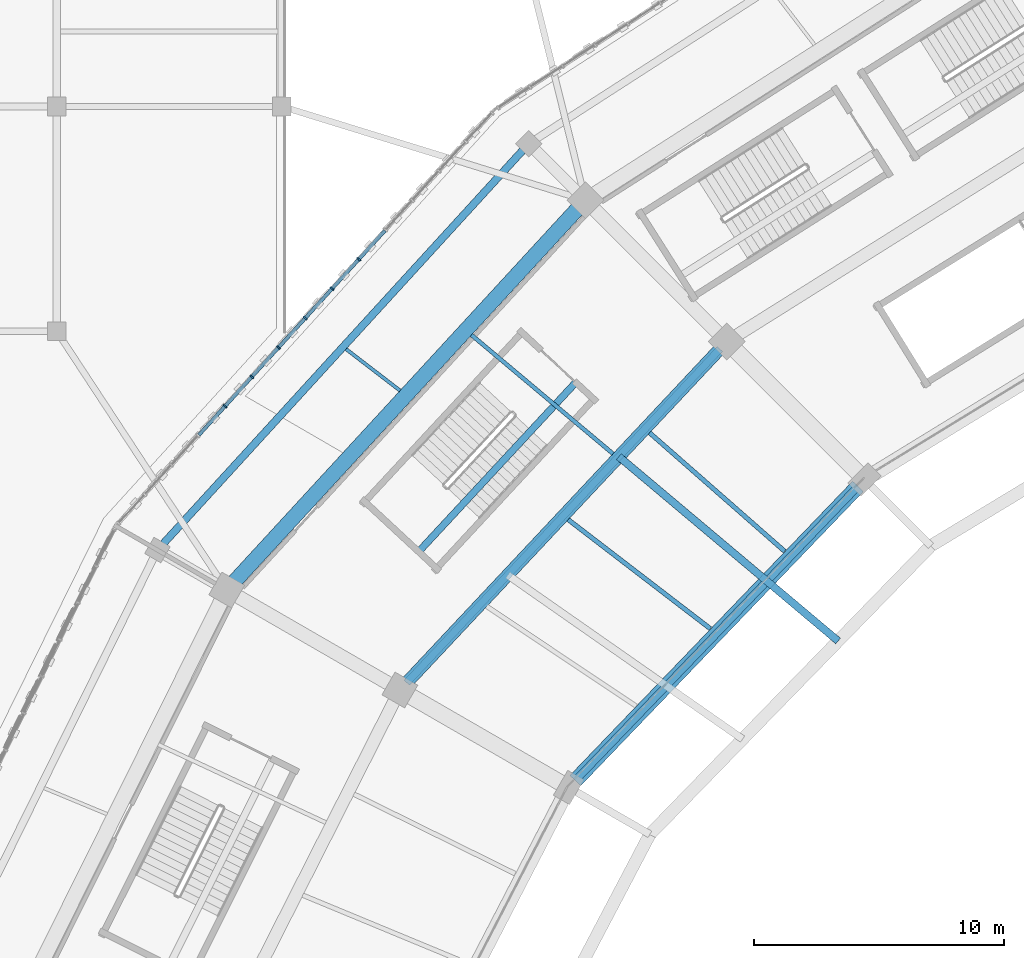
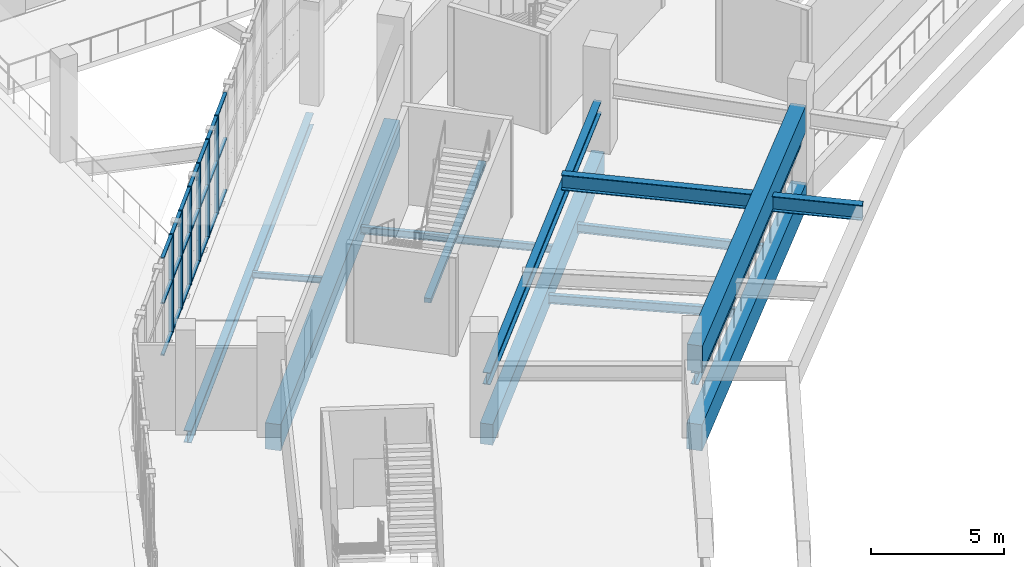
# One storey, part 49 of 179: 27 members, 13 beams, 1 element without a shape of its own.
"""IFC4 building model written with IfcOpenShell, lengths in metres."""

from ifc_helpers import new_model, si_unit, direction, frame, origin, origin_2d, place, context, subcontext, project, spatial, rectangle, i_section, extrude, material, material_profile, profile_set, type_object, element, aggregate, save


model = new_model("IFC4")

# Units and contexts
model_context = context("Model", 3, precision=1e-05, world=origin(), true_north=direction((0.0, 1.0)))
body_context = subcontext(model_context, "Body", "Model", "MODEL_VIEW")
ifc_project = project(units=[si_unit("LENGTHUNIT", "METRE"), si_unit("AREAUNIT", "SQUARE_METRE"), si_unit("VOLUMEUNIT", "CUBIC_METRE"), si_unit("PLANEANGLEUNIT", "RADIAN"), si_unit("MASSUNIT", "GRAM", prefix="KILO")], contexts=[model_context])

# Site, building, storey
site_placement = place(None, origin())
site = spatial("IfcSite", under=ifc_project, at=site_placement, CompositionType="ELEMENT")
building_placement = place(site_placement, origin())
building = spatial("IfcBuilding", under=site, at=building_placement, Name="Zevraka Park Crest Stadium", CompositionType="ELEMENT")
storey_placement = place(building_placement, frame((0.0, 0.0, 10.199951171875)))
storey = spatial("IfcBuildingStorey", under=building, at=storey_placement, Name="L02", CompositionType="ELEMENT", Elevation=10.199951171875)

# Beam
ifc_material_1 = material(Name="Steel S355", Category="steel")
ifc_material_profile_1 = material_profile(ifc_material_1, i_section(OverallWidth=0.300048828125, OverallDepth=0.699951171875, WebThickness=0.01708984375, FlangeThickness=0.031982421875, at=origin_2d()), Name="HEB 700")
ifc_profile_set_1 = profile_set([ifc_material_profile_1], Name="Steel S355")
beam_type_1 = type_object("IfcBeamType", Name="BG06", PredefinedType="BEAM", material=ifc_profile_set_1)
beam_1_placement = place(storey_placement, frame((49.489013671875, 134.988037109375, 2.670166015625), z_axis=(0.7653749621, -0.643584623332, 0.0), x_axis=(0.643584623332, 0.7653749621, 0.0)))
element("IfcBeam", 1, at=beam_1_placement, inside=storey, type_object=beam_type_1, Name="Upper Tier Vomitory Cantilever Girder BG06 09-V1", PredefinedType="BEAM", context=body_context, shape_type="SweptSolid", body=[
    extrude(i_section(OverallWidth=0.300048828125, OverallDepth=0.699951171875, WebThickness=0.01708984375, FlangeThickness=0.031982421875, at=origin_2d()), origin(), (0.0, 0.0, 1.0), 11.46240234375),
])

# Curtain wall, members
ifc_material_2 = material(Name="Anodised architectural aluminium and laminated safety glass", Category="aluminium")
curtain_wall_type = type_object("IfcCurtainWallType", Name="CW08", PredefinedType="NOTDEFINED", material=ifc_material_2)
curtain_wall_placement = place(storey_placement, origin())
curtain_wall = element("IfcCurtainWall", 2, at=curtain_wall_placement, inside=storey, type_object=curtain_wall_type, Name="Unitised Ring Curtain Wall CW08 L02-09", PredefinedType="NOTDEFINED")
ifc_material_3 = material(Name="Anodised architectural aluminium", Category="aluminium")
ifc_material_profile_2 = material_profile(ifc_material_3, rectangle(XDim=0.179931640625, YDim=0.06494140625, at=origin_2d()), Name="ALU MULLION 180x65")
ifc_profile_set_2 = profile_set([ifc_material_profile_2], Name="Anodised architectural aluminium")
member_type_1 = type_object("IfcMemberType", Name="CM02", PredefinedType="MULLION", material=ifc_profile_set_2)
member_1_placement = place(storey_placement, frame((39.083251953125, 142.884521484375, 0.0), z_axis=(0.0, 0.0, 1.0), x_axis=(0.739496877097, -0.673159987494, 0.0)))
member_1 = element("IfcMember", 3, at=member_1_placement, type_object=member_type_1, Name="CW08 mullion 6", PredefinedType="MULLION", context=body_context, shape_type="SweptSolid", body=[
    extrude(rectangle(XDim=0.179931640625, YDim=0.06494140625, at=origin_2d()), origin(), (0.0, 0.0, 1.0), 4.5),
])
member_2_placement = place(storey_placement, frame((38.012451171875, 141.70849609375, 0.0), z_axis=(0.0, 0.0, 1.0), x_axis=(0.739496877097, -0.673159987494, 0.0)))
member_2 = element("IfcMember", 4, at=member_2_placement, type_object=member_type_1, Name="CW08 mullion 7", PredefinedType="MULLION", context=body_context, shape_type="SweptSolid", body=[
    extrude(rectangle(XDim=0.179931640625, YDim=0.06494140625, at=origin_2d()), origin(), (0.0, 0.0, 1.0), 4.5),
])
member_3_placement = place(storey_placement, frame((36.94189453125, 140.532470703125, 0.0), z_axis=(0.0, 0.0, 1.0), x_axis=(0.739496877097, -0.673159987494, 0.0)))
member_3 = element("IfcMember", 5, at=member_3_placement, type_object=member_type_1, Name="CW08 mullion 8", PredefinedType="MULLION", context=body_context, shape_type="SweptSolid", body=[
    extrude(rectangle(XDim=0.179931640625, YDim=0.06494140625, at=origin_2d()), origin(), (0.0, 0.0, 1.0), 4.5),
])
member_4_placement = place(storey_placement, frame((35.871337890625, 139.3564453125, 0.0), z_axis=(0.0, 0.0, 1.0), x_axis=(0.739496877097, -0.673159987494, 0.0)))
member_4 = element("IfcMember", 6, at=member_4_placement, type_object=member_type_1, Name="CW08 mullion 9", PredefinedType="MULLION", context=body_context, shape_type="SweptSolid", body=[
    extrude(rectangle(XDim=0.179931640625, YDim=0.06494140625, at=origin_2d()), origin(), (0.0, 0.0, 1.0), 4.5),
])
member_5_placement = place(storey_placement, frame((34.80078125, 138.180419921875, 0.0), z_axis=(0.0, 0.0, 1.0), x_axis=(0.739496877097, -0.673159987494, 0.0)))
member_5 = element("IfcMember", 7, at=member_5_placement, type_object=member_type_1, Name="CW08 mullion 10", PredefinedType="MULLION", context=body_context, shape_type="SweptSolid", body=[
    extrude(rectangle(XDim=0.179931640625, YDim=0.06494140625, at=origin_2d()), origin(), (0.0, 0.0, 1.0), 4.5),
])
member_6_placement = place(storey_placement, frame((33.730224609375, 137.00439453125, 0.0), z_axis=(0.0, 0.0, 1.0), x_axis=(0.739496877097, -0.673159987494, 0.0)))
member_6 = element("IfcMember", 8, at=member_6_placement, type_object=member_type_1, Name="CW08 mullion 11", PredefinedType="MULLION", context=body_context, shape_type="SweptSolid", body=[
    extrude(rectangle(XDim=0.179931640625, YDim=0.06494140625, at=origin_2d()), origin(), (0.0, 0.0, 1.0), 4.5),
])
ifc_material_4 = material(Name="Anodised architectural aluminium", Category="aluminium")
ifc_material_profile_3 = material_profile(ifc_material_4, rectangle(XDim=0.139892578125, YDim=0.06494140625, at=origin_2d()), Name="ALU TRANSOM 140x65")
ifc_profile_set_3 = profile_set([ifc_material_profile_3], Name="Anodised architectural aluminium")
member_type_2 = type_object("IfcMemberType", Name="CT02", PredefinedType="USERDEFINED", material=ifc_profile_set_3)
member_7_placement = place(storey_placement, frame((40.1318359375, 144.03662109375, 0.032470703125), z_axis=(-0.673198421242, -0.739461889239, 0.0), x_axis=(0.739461889239, -0.673198421242, 0.0)))
member_7 = element("IfcMember", 9, at=member_7_placement, type_object=member_type_2, Name="CW08 transom 5.1", ObjectType="TRANSOM", PredefinedType="USERDEFINED", context=body_context, shape_type="SweptSolid", body=[
    extrude(rectangle(XDim=0.139892578125, YDim=0.06494140625, at=origin_2d()), origin(), (0.0, 0.0, 1.0), 1.525390625),
])
member_8_placement = place(storey_placement, frame((40.1318359375, 144.03662109375, 2.400146484375), z_axis=(-0.673198421242, -0.739461889239, 0.0), x_axis=(0.739461889239, -0.673198421242, 0.0)))
member_8 = element("IfcMember", 10, at=member_8_placement, type_object=member_type_2, Name="CW08 transom 5.2", ObjectType="TRANSOM", PredefinedType="USERDEFINED", context=body_context, shape_type="SweptSolid", body=[
    extrude(rectangle(XDim=0.139892578125, YDim=0.06494140625, at=origin_2d()), origin(), (0.0, 0.0, 1.0), 1.525390625),
])
member_9_placement = place(storey_placement, frame((40.1318359375, 144.03662109375, 4.467529296875), z_axis=(-0.673198421242, -0.739461889239, 0.0), x_axis=(0.739461889239, -0.673198421242, 0.0)))
member_9 = element("IfcMember", 11, at=member_9_placement, type_object=member_type_2, Name="CW08 transom 5.3", ObjectType="TRANSOM", PredefinedType="USERDEFINED", context=body_context, shape_type="SweptSolid", body=[
    extrude(rectangle(XDim=0.139892578125, YDim=0.06494140625, at=origin_2d()), origin(), (0.0, 0.0, 1.0), 1.525390625),
])
member_10_placement = place(storey_placement, frame((39.061279296875, 142.860595703125, 0.032470703125), z_axis=(-0.673198421242, -0.739461889239, 0.0), x_axis=(0.739461889239, -0.673198421242, 0.0)))
member_10 = element("IfcMember", 12, at=member_10_placement, type_object=member_type_2, Name="CW08 transom 6.1", ObjectType="TRANSOM", PredefinedType="USERDEFINED", context=body_context, shape_type="SweptSolid", body=[
    extrude(rectangle(XDim=0.139892578125, YDim=0.06494140625, at=origin_2d()), origin(), (0.0, 0.0, 1.0), 1.525390625),
])
member_11_placement = place(storey_placement, frame((39.061279296875, 142.860595703125, 2.400146484375), z_axis=(-0.673198421242, -0.739461889239, 0.0), x_axis=(0.739461889239, -0.673198421242, 0.0)))
member_11 = element("IfcMember", 13, at=member_11_placement, type_object=member_type_2, Name="CW08 transom 6.2", ObjectType="TRANSOM", PredefinedType="USERDEFINED", context=body_context, shape_type="SweptSolid", body=[
    extrude(rectangle(XDim=0.139892578125, YDim=0.06494140625, at=origin_2d()), origin(), (0.0, 0.0, 1.0), 1.525390625),
])
member_12_placement = place(storey_placement, frame((39.061279296875, 142.860595703125, 4.467529296875), z_axis=(-0.673198421242, -0.739461889239, 0.0), x_axis=(0.739461889239, -0.673198421242, 0.0)))
member_12 = element("IfcMember", 14, at=member_12_placement, type_object=member_type_2, Name="CW08 transom 6.3", ObjectType="TRANSOM", PredefinedType="USERDEFINED", context=body_context, shape_type="SweptSolid", body=[
    extrude(rectangle(XDim=0.139892578125, YDim=0.06494140625, at=origin_2d()), origin(), (0.0, 0.0, 1.0), 1.525390625),
])
member_13_placement = place(storey_placement, frame((37.99072265625, 141.6845703125, 0.032470703125), z_axis=(-0.673198421242, -0.739461889239, 0.0), x_axis=(0.739461889239, -0.673198421242, 0.0)))
member_13 = element("IfcMember", 15, at=member_13_placement, type_object=member_type_2, Name="CW08 transom 7.1", ObjectType="TRANSOM", PredefinedType="USERDEFINED", context=body_context, shape_type="SweptSolid", body=[
    extrude(rectangle(XDim=0.139892578125, YDim=0.06494140625, at=origin_2d()), origin(), (0.0, 0.0, 1.0), 1.525390625),
])
member_14_placement = place(storey_placement, frame((37.99072265625, 141.6845703125, 2.400146484375), z_axis=(-0.673198421242, -0.739461889239, 0.0), x_axis=(0.739461889239, -0.673198421242, 0.0)))
member_14 = element("IfcMember", 16, at=member_14_placement, type_object=member_type_2, Name="CW08 transom 7.2", ObjectType="TRANSOM", PredefinedType="USERDEFINED", context=body_context, shape_type="SweptSolid", body=[
    extrude(rectangle(XDim=0.139892578125, YDim=0.06494140625, at=origin_2d()), origin(), (0.0, 0.0, 1.0), 1.525390625),
])
member_15_placement = place(storey_placement, frame((37.99072265625, 141.6845703125, 4.467529296875), z_axis=(-0.673198421242, -0.739461889239, 0.0), x_axis=(0.739461889239, -0.673198421242, 0.0)))
member_15 = element("IfcMember", 17, at=member_15_placement, type_object=member_type_2, Name="CW08 transom 7.3", ObjectType="TRANSOM", PredefinedType="USERDEFINED", context=body_context, shape_type="SweptSolid", body=[
    extrude(rectangle(XDim=0.139892578125, YDim=0.06494140625, at=origin_2d()), origin(), (0.0, 0.0, 1.0), 1.525390625),
])
member_16_placement = place(storey_placement, frame((36.920166015625, 140.508544921875, 0.032470703125), z_axis=(-0.673118749814, -0.739534413431, 0.0), x_axis=(0.739534413431, -0.673118749814, 0.0)))
member_16 = element("IfcMember", 18, at=member_16_placement, type_object=member_type_2, Name="CW08 transom 8.1", ObjectType="TRANSOM", PredefinedType="USERDEFINED", context=body_context, shape_type="SweptSolid", body=[
    extrude(rectangle(XDim=0.139892578125, YDim=0.06494140625, at=origin_2d()), origin(), (0.0, 0.0, 1.0), 1.525634765625),
])
member_17_placement = place(storey_placement, frame((36.920166015625, 140.508544921875, 2.400146484375), z_axis=(-0.673118749814, -0.739534413431, 0.0), x_axis=(0.739534413431, -0.673118749814, 0.0)))
member_17 = element("IfcMember", 19, at=member_17_placement, type_object=member_type_2, Name="CW08 transom 8.2", ObjectType="TRANSOM", PredefinedType="USERDEFINED", context=body_context, shape_type="SweptSolid", body=[
    extrude(rectangle(XDim=0.139892578125, YDim=0.06494140625, at=origin_2d()), origin(), (0.0, 0.0, 1.0), 1.525634765625),
])
member_18_placement = place(storey_placement, frame((36.920166015625, 140.508544921875, 4.467529296875), z_axis=(-0.673118749814, -0.739534413431, 0.0), x_axis=(0.739534413431, -0.673118749814, 0.0)))
member_18 = element("IfcMember", 20, at=member_18_placement, type_object=member_type_2, Name="CW08 transom 8.3", ObjectType="TRANSOM", PredefinedType="USERDEFINED", context=body_context, shape_type="SweptSolid", body=[
    extrude(rectangle(XDim=0.139892578125, YDim=0.06494140625, at=origin_2d()), origin(), (0.0, 0.0, 1.0), 1.525634765625),
])
member_19_placement = place(storey_placement, frame((35.849609375, 139.332275390625, 0.032470703125), z_axis=(-0.673198421242, -0.739461889239, 0.0), x_axis=(0.739461889239, -0.673198421242, 0.0)))
member_19 = element("IfcMember", 21, at=member_19_placement, type_object=member_type_2, Name="CW08 transom 9.1", ObjectType="TRANSOM", PredefinedType="USERDEFINED", context=body_context, shape_type="SweptSolid", body=[
    extrude(rectangle(XDim=0.139892578125, YDim=0.06494140625, at=origin_2d()), origin(), (0.0, 0.0, 1.0), 1.525390625),
])
member_20_placement = place(storey_placement, frame((35.849609375, 139.332275390625, 2.400146484375), z_axis=(-0.673198421242, -0.739461889239, 0.0), x_axis=(0.739461889239, -0.673198421242, 0.0)))
member_20 = element("IfcMember", 22, at=member_20_placement, type_object=member_type_2, Name="CW08 transom 9.2", ObjectType="TRANSOM", PredefinedType="USERDEFINED", context=body_context, shape_type="SweptSolid", body=[
    extrude(rectangle(XDim=0.139892578125, YDim=0.06494140625, at=origin_2d()), origin(), (0.0, 0.0, 1.0), 1.525390625),
])
member_21_placement = place(storey_placement, frame((35.849609375, 139.332275390625, 4.467529296875), z_axis=(-0.673198421242, -0.739461889239, 0.0), x_axis=(0.739461889239, -0.673198421242, 0.0)))
member_21 = element("IfcMember", 23, at=member_21_placement, type_object=member_type_2, Name="CW08 transom 9.3", ObjectType="TRANSOM", PredefinedType="USERDEFINED", context=body_context, shape_type="SweptSolid", body=[
    extrude(rectangle(XDim=0.139892578125, YDim=0.06494140625, at=origin_2d()), origin(), (0.0, 0.0, 1.0), 1.525390625),
])
member_22_placement = place(storey_placement, frame((34.779052734375, 138.15625, 0.032470703125), z_axis=(-0.673198421242, -0.739461889239, 0.0), x_axis=(0.739461889239, -0.673198421242, 0.0)))
member_22 = element("IfcMember", 24, at=member_22_placement, type_object=member_type_2, Name="CW08 transom 10.1", ObjectType="TRANSOM", PredefinedType="USERDEFINED", context=body_context, shape_type="SweptSolid", body=[
    extrude(rectangle(XDim=0.139892578125, YDim=0.06494140625, at=origin_2d()), origin(), (0.0, 0.0, 1.0), 1.525390625),
])
member_23_placement = place(storey_placement, frame((34.779052734375, 138.15625, 2.400146484375), z_axis=(-0.673198421242, -0.739461889239, 0.0), x_axis=(0.739461889239, -0.673198421242, 0.0)))
member_23 = element("IfcMember", 25, at=member_23_placement, type_object=member_type_2, Name="CW08 transom 10.2", ObjectType="TRANSOM", PredefinedType="USERDEFINED", context=body_context, shape_type="SweptSolid", body=[
    extrude(rectangle(XDim=0.139892578125, YDim=0.06494140625, at=origin_2d()), origin(), (0.0, 0.0, 1.0), 1.525390625),
])
member_24_placement = place(storey_placement, frame((34.779052734375, 138.15625, 4.467529296875), z_axis=(-0.673198421242, -0.739461889239, 0.0), x_axis=(0.739461889239, -0.673198421242, 0.0)))
member_24 = element("IfcMember", 26, at=member_24_placement, type_object=member_type_2, Name="CW08 transom 10.3", ObjectType="TRANSOM", PredefinedType="USERDEFINED", context=body_context, shape_type="SweptSolid", body=[
    extrude(rectangle(XDim=0.139892578125, YDim=0.06494140625, at=origin_2d()), origin(), (0.0, 0.0, 1.0), 1.525390625),
])
member_25_placement = place(storey_placement, frame((33.70849609375, 136.980224609375, 0.032470703125), z_axis=(-0.673198421242, -0.739461889239, 0.0), x_axis=(0.739461889239, -0.673198421242, 0.0)))
member_25 = element("IfcMember", 27, at=member_25_placement, type_object=member_type_2, Name="CW08 transom 11.1", ObjectType="TRANSOM", PredefinedType="USERDEFINED", context=body_context, shape_type="SweptSolid", body=[
    extrude(rectangle(XDim=0.139892578125, YDim=0.06494140625, at=origin_2d()), origin(), (0.0, 0.0, 1.0), 1.525390625),
])
member_26_placement = place(storey_placement, frame((33.70849609375, 136.980224609375, 2.400146484375), z_axis=(-0.673198421242, -0.739461889239, 0.0), x_axis=(0.739461889239, -0.673198421242, 0.0)))
member_26 = element("IfcMember", 28, at=member_26_placement, type_object=member_type_2, Name="CW08 transom 11.2", ObjectType="TRANSOM", PredefinedType="USERDEFINED", context=body_context, shape_type="SweptSolid", body=[
    extrude(rectangle(XDim=0.139892578125, YDim=0.06494140625, at=origin_2d()), origin(), (0.0, 0.0, 1.0), 1.525390625),
])
member_27_placement = place(storey_placement, frame((33.70849609375, 136.980224609375, 4.467529296875), z_axis=(-0.673198421242, -0.739461889239, 0.0), x_axis=(0.739461889239, -0.673198421242, 0.0)))
member_27 = element("IfcMember", 29, at=member_27_placement, type_object=member_type_2, Name="CW08 transom 11.3", ObjectType="TRANSOM", PredefinedType="USERDEFINED", context=body_context, shape_type="SweptSolid", body=[
    extrude(rectangle(XDim=0.139892578125, YDim=0.06494140625, at=origin_2d()), origin(), (0.0, 0.0, 1.0), 1.525390625),
])
aggregate(curtain_wall, [member_1, member_2, member_3, member_4, member_5, member_6, member_7, member_8, member_9, member_10, member_11, member_12, member_13, member_14, member_15, member_16, member_17, member_18, member_19, member_20, member_21, member_22, member_23, member_24, member_25, member_26, member_27])

# Beams
ifc_material_5 = material(Name="Concrete C40/50", Category="concrete")
ifc_material_profile_4 = material_profile(ifc_material_5, rectangle(XDim=0.60009765625, YDim=1.199951171875, at=origin_2d()), Name="RC 1200x600")
ifc_profile_set_4 = profile_set([ifc_material_profile_4], Name="Concrete C40/50")
beam_type_2 = type_object("IfcBeamType", Name="RB01", PredefinedType="BEAM", material=ifc_profile_set_4)
beam_2_placement = place(storey_placement, frame((59.05810546875, 133.799072265625, -0.60986328125), z_axis=(-0.692852617328, -0.721079226342, 0.0), x_axis=(0.721079226342, -0.692852617328, 0.0)))
element("IfcBeam", 30, at=beam_2_placement, inside=storey, type_object=beam_type_2, Name="Ring Beam RB01 L02-B-09", PredefinedType="BEAM", context=body_context, shape_type="SweptSolid", body=[
    extrude(rectangle(XDim=0.60009765625, YDim=1.199951171875, at=origin_2d()), origin(), (0.0, 0.0, 1.0), 16.329833984375),
])
beam_3_placement = place(storey_placement, frame((47.89111328125, 144.965087890625, -0.60986328125), z_axis=(-0.677158252403, -0.735837414924, 0.0), x_axis=(0.735837414924, -0.677158252403, 0.0)))
element("IfcBeam", 31, at=beam_3_placement, inside=storey, type_object=beam_type_2, Name="Ring Beam RB01 L02-D-09", PredefinedType="BEAM", context=body_context, shape_type="SweptSolid", body=[
    extrude(rectangle(XDim=0.60009765625, YDim=1.199951171875, at=origin_2d()), origin(), (0.0, 0.0, 1.0), 20.4326171875),
])
beam_4_placement = place(storey_placement, frame((59.030029296875, 133.77001953125, 2.965087890625), z_axis=(-0.692842332428, -0.721089108499, 0.0), x_axis=(0.721089108499, -0.692842332428, 0.0)))
element("IfcBeam", 32, at=beam_4_placement, inside=storey, type_object=beam_type_2, Name="Upper Tier Fulcrum Raker Ring Beam RB01 09", PredefinedType="BEAM", context=body_context, shape_type="SweptSolid", body=[
    extrude(rectangle(XDim=0.60009765625, YDim=1.199951171875, at=origin_2d()), origin(), (0.0, 0.0, 1.0), 16.2490234375),
])
ifc_material_6 = material(Name="Concrete C40/50", Category="concrete")
ifc_material_profile_5 = material_profile(ifc_material_6, rectangle(XDim=0.5, YDim=0.949951171875, at=origin_2d()), Name="RC 950x500")
ifc_profile_set_5 = profile_set([ifc_material_profile_5], Name="Concrete C40/50")
beam_type_3 = type_object("IfcBeamType", Name="RB02", PredefinedType="BEAM", material=ifc_profile_set_5)
beam_5_placement = place(storey_placement, frame((53.544921875, 139.31103515625, -0.48486328125), z_axis=(-0.684268936493, -0.729229746068, 0.0), x_axis=(0.729229746068, -0.684268936493, 0.0)))
element("IfcBeam", 33, at=beam_5_placement, inside=storey, type_object=beam_type_3, Name="Ring Beam RB02 L02-C-09", PredefinedType="BEAM", context=body_context, shape_type="SweptSolid", body=[
    extrude(rectangle(XDim=0.5, YDim=0.949951171875, at=origin_2d()), origin(), (0.0, 0.0, 1.0), 18.353759765625),
])
ifc_material_7 = material(Name="Steel S355", Category="steel")
ifc_material_profile_6 = material_profile(ifc_material_7, i_section(OverallWidth=0.300048828125, OverallDepth=0.550048828125, WebThickness=0.014892578125, FlangeThickness=0.029052734375, at=origin_2d()), Name="HEB 550")
ifc_profile_set_6 = profile_set([ifc_material_profile_6], Name="Steel S355")
beam_type_4 = type_object("IfcBeamType", Name="RB04", PredefinedType="BEAM", material=ifc_profile_set_6)
beam_6_placement = place(storey_placement, frame((45.64990234375, 147.25, -0.5849609375), z_axis=(-0.674624342029, -0.738161227065, 0.0), x_axis=(0.738161227065, -0.674624342029, 0.0)))
element("IfcBeam", 34, at=beam_6_placement, inside=storey, type_object=beam_type_4, Name="Ring Beam RB04 L02-E-09", PredefinedType="BEAM", context=body_context, shape_type="SweptSolid", body=[
    extrude(i_section(OverallWidth=0.300048828125, OverallDepth=0.550048828125, WebThickness=0.014892578125, FlangeThickness=0.029052734375, at=origin_2d()), origin(), (0.0, 0.0, 1.0), 21.325927734375),
])
beam_7_placement = place(storey_placement, frame((59.0439453125, 133.784912109375, 2.047119140625), z_axis=(-0.692817231213, -0.7211132256, 0.0), x_axis=(0.7211132256, -0.692817231213, 0.0)))
element("IfcBeam", 35, at=beam_7_placement, inside=storey, type_object=beam_type_4, Name="Vomitory Cantilever Fulcrum Support Beam RB04 09", PredefinedType="BEAM", context=body_context, shape_type="SweptSolid", body=[
    extrude(i_section(OverallWidth=0.300048828125, OverallDepth=0.550048828125, WebThickness=0.014892578125, FlangeThickness=0.029052734375, at=origin_2d()), origin(), (0.0, 0.0, 1.0), 16.289794921875),
])
beam_8_placement = place(storey_placement, frame((53.531005859375, 139.2958984375, 2.047119140625), z_axis=(-0.684278978076, -0.729220323471, 0.0), x_axis=(0.729220323471, -0.684278978076, 0.0)))
element("IfcBeam", 36, at=beam_8_placement, inside=storey, type_object=beam_type_4, Name="Vomitory Cantilever Anchor Support Beam RB04 09", PredefinedType="BEAM", context=body_context, shape_type="SweptSolid", body=[
    extrude(i_section(OverallWidth=0.300048828125, OverallDepth=0.550048828125, WebThickness=0.014892578125, FlangeThickness=0.029052734375, at=origin_2d()), origin(), (0.0, 0.0, 1.0), 18.312744140625),
])
ifc_material_8 = material(Name="Steel S355", Category="steel")
ifc_material_profile_7 = material_profile(ifc_material_8, i_section(OverallWidth=0.135009765625, OverallDepth=0.27001953125, WebThickness=0.006591796875, FlangeThickness=0.01025390625, at=origin_2d()), Name="IPE 270")
ifc_profile_set_7 = profile_set([ifc_material_profile_7], Name="Steel S355")
beam_type_5 = type_object("IfcBeamType", Name="SJ07", PredefinedType="JOIST", material=ifc_profile_set_7)
beam_9_placement = place(storey_placement, frame((40.739013671875, 137.626953125, -0.4228515625), z_axis=(-0.793128631587, 0.609054163238, 0.0), x_axis=(-0.609054163238, -0.793128631587, 0.0)))
element("IfcBeam", 37, at=beam_9_placement, inside=storey, type_object=beam_type_5, Name="Floor Joist SJ07 L02-DE-09-1", PredefinedType="JOIST", context=body_context, shape_type="SweptSolid", body=[
    extrude(i_section(OverallWidth=0.135009765625, OverallDepth=0.27001953125, WebThickness=0.006591796875, FlangeThickness=0.01025390625, at=origin_2d()), origin(), (0.0, 0.0, 1.0), 2.732177734375),
])
ifc_material_9 = material(Name="Steel S355", Category="steel")
ifc_material_profile_8 = material_profile(ifc_material_9, i_section(OverallWidth=0.159912109375, OverallDepth=0.330078125, WebThickness=0.007568359375, FlangeThickness=0.011474609375, at=origin_2d()), Name="IPE 330")
ifc_profile_set_8 = profile_set([ifc_material_profile_8], Name="Steel S355")
beam_type_6 = type_object("IfcBeamType", Name="SJ08", PredefinedType="JOIST", material=ifc_profile_set_8)
beam_10_placement = place(storey_placement, frame((49.258056640625, 135.10009765625, -0.452880859375), z_axis=(-0.765933630726, 0.642919647642, 0.0), x_axis=(-0.642919647642, -0.765933630726, 0.0)))
element("IfcBeam", 38, at=beam_10_placement, inside=storey, type_object=beam_type_6, Name="Floor Joist SJ08 L02-CD-09-1", PredefinedType="JOIST", context=body_context, shape_type="SweptSolid", body=[
    extrude(i_section(OverallWidth=0.159912109375, OverallDepth=0.330078125, WebThickness=0.007568359375, FlangeThickness=0.011474609375, at=origin_2d()), origin(), (0.0, 0.0, 1.0), 7.398681640625),
])
ifc_material_10 = material(Name="Steel S355", Category="steel")
ifc_material_profile_9 = material_profile(ifc_material_10, i_section(OverallWidth=0.179931640625, OverallDepth=0.39990234375, WebThickness=0.008544921875, FlangeThickness=0.013427734375, at=origin_2d()), Name="IPE 400")
ifc_profile_set_9 = profile_set([ifc_material_profile_9], Name="Steel S355")
beam_type_7 = type_object("IfcBeamType", Name="SJ09", PredefinedType="JOIST", material=ifc_profile_set_9)
beam_11_placement = place(storey_placement, frame((56.1240234375, 131.199951171875, -0.488037109375), z_axis=(-0.751711566798, 0.65949201689, 0.0), x_axis=(-0.65949201689, -0.751711566798, 0.0)))
element("IfcBeam", 39, at=beam_11_placement, inside=storey, type_object=beam_type_7, Name="Floor Joist SJ09 L02-BC-09-1", PredefinedType="JOIST", context=body_context, shape_type="SweptSolid", body=[
    extrude(i_section(OverallWidth=0.179931640625, OverallDepth=0.39990234375, WebThickness=0.008544921875, FlangeThickness=0.013427734375, at=origin_2d()), origin(), (0.0, 0.0, 1.0), 7.190185546875),
])
beam_12_placement = place(storey_placement, frame((53.15087890625, 128.10302734375, -0.488037109375), z_axis=(-0.793343347731, 0.608774451346, 0.0), x_axis=(-0.608774451346, -0.793343347731, 0.0)))
element("IfcBeam", 40, at=beam_12_placement, inside=storey, type_object=beam_type_7, Name="Floor Joist SJ09 L02-BC-09-2", PredefinedType="JOIST", context=body_context, shape_type="SweptSolid", body=[
    extrude(i_section(OverallWidth=0.179931640625, OverallDepth=0.39990234375, WebThickness=0.008544921875, FlangeThickness=0.013427734375, at=origin_2d()), origin(), (0.0, 0.0, 1.0), 7.17333984375),
])
ifc_material_11 = material(Name="Concrete C40/50", Category="concrete")
ifc_material_profile_10 = material_profile(ifc_material_11, rectangle(XDim=0.280029296875, YDim=0.199951171875, at=origin_2d()), Name="RC 200x280")
ifc_profile_set_10 = profile_set([ifc_material_profile_10], Name="Concrete C40/50")
beam_type_8 = type_object("IfcBeamType", Name="SJ13", PredefinedType="JOIST", material=ifc_profile_set_10)
beam_13_placement = place(storey_placement, frame((47.747314453125, 137.937744140625, 2.300048828125), z_axis=(-0.680247587728, -0.732982414107, 0.0), x_axis=(0.732982414107, -0.680247587728, 0.0)))
element("IfcBeam", 41, at=beam_13_placement, inside=storey, type_object=beam_type_8, Name="Stair Upper-Flight Longitudinal Stringer SJ13 ST10-L02", PredefinedType="JOIST", context=body_context, shape_type="SweptSolid", body=[
    extrude(rectangle(XDim=0.280029296875, YDim=0.199951171875, at=origin_2d()), origin(), (0.0, 0.0, 1.0), 9.25),
])

save(model, "model.ifc")
